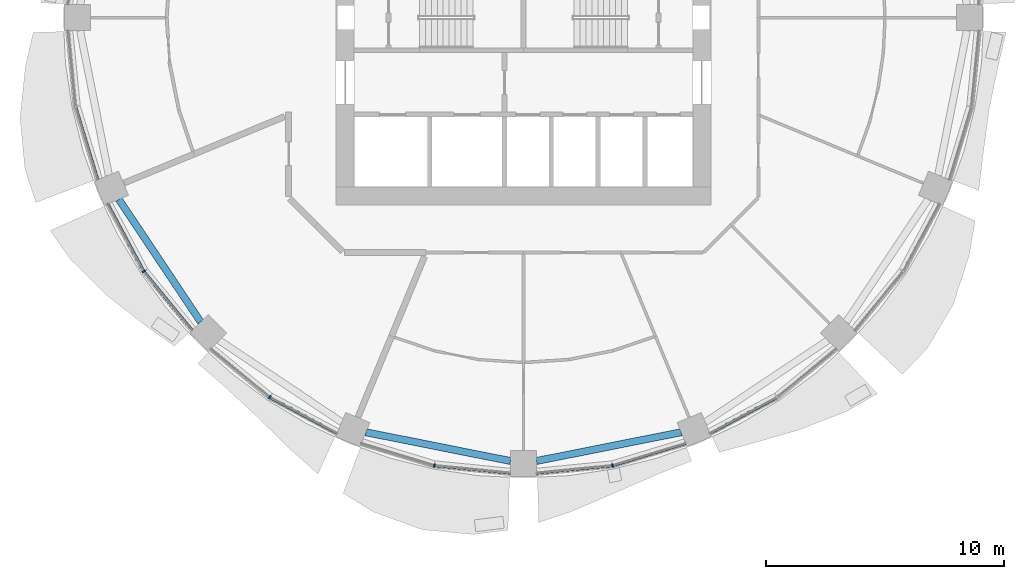
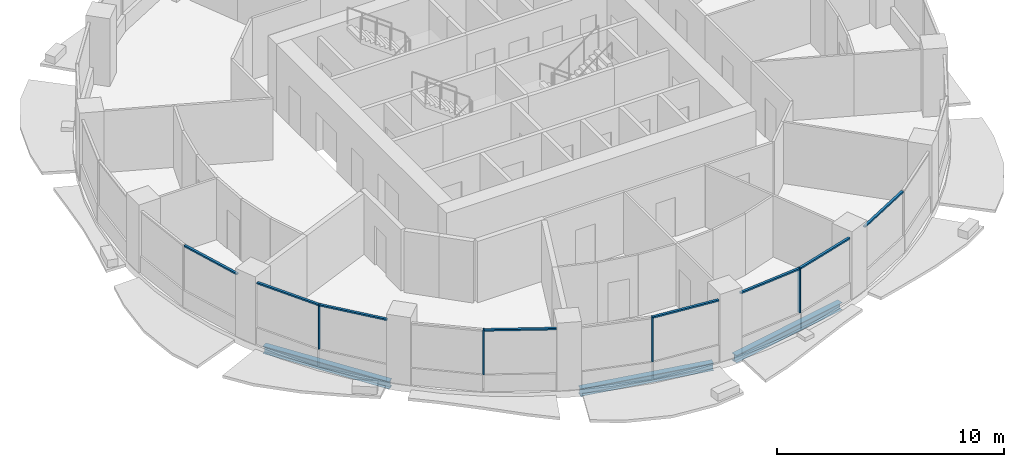
# One storey, part 2 of 15: 12 members, 3 beams, 6 elements without a shape of their own.
"""IFC4 building model written with IfcOpenShell, lengths in metres."""

import ifcopenshell
import ifcopenshell.guid

model = None  # the IFC model being written
_history = None  # IfcOwnerHistory: only IFC2X3 demands one
_inside = {}  # id of a spatial element -> (the spatial element, [elements in it])
_under = {}  # id of a project, library or spatial element -> (it, [spatial elements below it])
_declared = {}  # id of a project -> (the project, [libraries it declares])
_typed = {}  # id of a type object -> (the type object, [elements of that type])
_made_of = {}  # id of a material, layer set ... -> (it, [elements and type objects made of it])


def new_model(schema):
    """Start an empty IFC model of exactly this schema.

    Asked for "IFC4X3", IfcOpenShell would pick the latest addendum, in which some entities
    have other attributes; the version numbers below select the first issue.
    IFC2X3 requires an IfcOwnerHistory on every rooted entity: one is made here for all.
    """
    global model, _history
    if schema == "IFC4X3":
        model = ifcopenshell.file(schema_version=(4, 3, 0, 0))
    else:
        model = ifcopenshell.file(schema=schema)
    _inside.clear()
    _under.clear()
    _declared.clear()
    _typed.clear()
    _made_of.clear()
    _history = None
    if model.schema == "IFC2X3":
        org = make("IfcOrganization", Name="unknown")
        user = make(
            "IfcPersonAndOrganization",
            ThePerson=make("IfcPerson", FamilyName="unknown"),
            TheOrganization=org,
        )
        app = make(
            "IfcApplication",
            ApplicationDeveloper=org,
            Version="unknown",
            ApplicationFullName="unknown",
            ApplicationIdentifier="unknown",
        )
        _history = make(
            "IfcOwnerHistory",
            OwningUser=user,
            OwningApplication=app,
            ChangeAction="ADDED",
            CreationDate=0,
        )
    return model


def make(cls, **values):
    """One entity of the class cls with the attributes given. An attribute that is None is left unset."""
    return model.create_entity(
        cls, **{name: value for name, value in values.items() if value is not None}
    )


def rooted(cls, **values):
    """An entity with a GlobalId (a new one), such as an element, a storey or a relation."""
    return make(cls, GlobalId=ifcopenshell.guid.new(), OwnerHistory=_history, **values)


def si_unit(unit_type, name, prefix=None):
    """IfcSIUnit, for example si_unit("LENGTHUNIT", "METRE", prefix="MILLI")."""
    return make("IfcSIUnit", UnitType=unit_type, Prefix=prefix, Name=name)


def assignment(units):
    """IfcUnitAssignment: the units of a project."""
    return None if units is None else make("IfcUnitAssignment", Units=units)


def point(xyz):
    """IfcCartesianPoint."""
    return None if xyz is None else make("IfcCartesianPoint", Coordinates=xyz)


def direction(xyz):
    """IfcDirection."""
    return None if xyz is None else make("IfcDirection", DirectionRatios=xyz)


def frame(location, z_axis=None, x_axis=None):
    """IfcAxis2Placement3D, a coordinate frame: its origin and axes. An axis left out is left unset."""
    return make(
        "IfcAxis2Placement3D",
        Location=point(location),
        Axis=direction(z_axis),
        RefDirection=direction(x_axis),
    )


def frame_2d(location, x_axis=None):
    """IfcAxis2Placement2D, a coordinate frame in the plane: its origin and x axis."""
    return make(
        "IfcAxis2Placement2D", Location=point(location), RefDirection=direction(x_axis)
    )


def origin():
    """The frame at (0, 0, 0) with its axes left unset."""
    return frame((0.0, 0.0, 0.0))


def origin_2d():
    """The frame at (0, 0) in the plane with its x axis left unset."""
    return frame_2d((0.0, 0.0))


def place(relative_to, where):
    """IfcLocalPlacement: puts the frame where relative to a parent placement (None: the world)."""
    return make(
        "IfcLocalPlacement", PlacementRelTo=relative_to, RelativePlacement=where
    )


def context(
    kind, dimensions, precision=None, world=None, true_north=None, identifier=None
):
    """IfcGeometricRepresentationContext, for example the 3D "Model" context."""
    return make(
        "IfcGeometricRepresentationContext",
        ContextIdentifier=identifier,
        ContextType=kind,
        CoordinateSpaceDimension=dimensions,
        Precision=precision,
        WorldCoordinateSystem=world,
        TrueNorth=true_north,
    )


def subcontext(parent, identifier, kind, view, scale=None):
    """IfcGeometricRepresentationSubContext, for example "Body" below "Model"."""
    return make(
        "IfcGeometricRepresentationSubContext",
        ContextIdentifier=identifier,
        ContextType=kind,
        ParentContext=parent,
        TargetScale=scale,
        TargetView=view,
    )


def project(units=None, contexts=None):
    """IfcProject with its units and contexts."""
    return rooted(
        "IfcProject",
        Name="project",
        RepresentationContexts=contexts,
        UnitsInContext=assignment(units),
    )


def spatial(cls, under=None, at=None, **own):
    """A site, building, storey or space (cls), placed at a placement, below another one or the project."""
    s = rooted(cls, ObjectPlacement=at, **own)
    if under is not None:
        _under.setdefault(under.id(), (under, []))[1].append(s)
    return s


def profile(cls, at=None, kind="AREA", **sizes):
    """A parametric profile (cls). Its sizes go by their IFC names, for example OverallWidth=200.0."""
    return make(cls, ProfileType=kind, Position=at, **sizes)


def rectangle(**sizes):
    """IfcRectangleProfileDef."""
    return profile("IfcRectangleProfileDef", **sizes)


def i_section(**sizes):
    """IfcIShapeProfileDef."""
    return profile("IfcIShapeProfileDef", **sizes)


def extrude(swept, where, along, depth):
    """IfcExtrudedAreaSolid: the profile swept, set in the frame where, extruded along a direction by depth."""
    return make(
        "IfcExtrudedAreaSolid",
        SweptArea=swept,
        Position=where,
        ExtrudedDirection=direction(along),
        Depth=depth,
    )


def shape(context_of_items, identifier, shape_type, items):
    """IfcShapeRepresentation: the items that make up one representation, for example the "Body"."""
    return make(
        "IfcShapeRepresentation",
        ContextOfItems=context_of_items,
        RepresentationIdentifier=identifier,
        RepresentationType=shape_type,
        Items=items,
    )


def material(Name=None, Category=None):
    """IfcMaterial."""
    return make("IfcMaterial", Name=Name, Category=Category)


def material_profile(
    of_material, cross_section, Name=None, Category=None, Priority=None
):
    """IfcMaterialProfile: a cross section and its material."""
    return make(
        "IfcMaterialProfile",
        Name=Name,
        Material=of_material,
        Profile=cross_section,
        Priority=Priority,
        Category=Category,
    )


def profile_set(profiles, Name=None, composite=None):
    """IfcMaterialProfileSet."""
    return make(
        "IfcMaterialProfileSet",
        Name=Name,
        MaterialProfiles=profiles,
        CompositeProfile=composite,
    )


def made_of(thing, what):
    """Note that an element or type object is made of a material, layer set ...; save() writes the relation."""
    if what is not None:
        _made_of.setdefault(what.id(), (what, []))[1].append(thing)
    return thing


def type_object(cls, material=None, **own):
    """A type object (cls), such as IfcWallType, which elements share."""
    return made_of(rooted(cls, **own), material)


def element(
    cls,
    number,
    at=None,
    inside=None,
    cuts=None,
    type_object=None,
    material=None,
    context=None,
    identifier="Body",
    shape_type=None,
    held_by="IfcProductDefinitionShape",
    body=None,
    shapes=None,
    **own,
):
    """One element of the class cls, such as IfcWall. Its Tag is "e" and its number.

    at: its placement. inside: the storey or other place that contains it. cuts: it is an
    opening in that element (IfcRelVoidsElement). A single representation is given by context,
    identifier, shape_type and body (its items); several are given by shapes. held_by: the class
    of the entity that holds the representations. save() writes the other relations.
    """
    e = rooted(cls, Tag="e%d" % number, ObjectPlacement=at, **own)
    if body is not None:
        shapes = [shape(context, identifier, shape_type, body)]
    if shapes is not None:
        e.Representation = make(held_by, Representations=shapes)
    if inside is not None:
        _inside.setdefault(inside.id(), (inside, []))[1].append(e)
    if cuts is not None:
        rooted(
            "IfcRelVoidsElement", RelatingBuildingElement=cuts, RelatedOpeningElement=e
        )
    if type_object is not None:
        _typed.setdefault(type_object.id(), (type_object, []))[1].append(e)
    return made_of(e, material)


def aggregate(whole, parts):
    """IfcRelAggregates: a whole, such as a stair, and the parts it consists of."""
    return rooted("IfcRelAggregates", RelatingObject=whole, RelatedObjects=parts)


def save(model, path):
    """Write the relations noted so far, then the file.

    IfcRelAggregates (storeys below a building ...), IfcRelContainedInSpatialStructure (elements
    in a storey), IfcRelDefinesByType, IfcRelAssociatesMaterial and IfcRelDeclares: one each for
    every whole, place, type object, material and project.
    """
    for whole, parts in _under.values():
        aggregate(whole, parts)
    for where, things in _inside.values():
        rooted(
            "IfcRelContainedInSpatialStructure",
            RelatedElements=things,
            RelatingStructure=where,
        )
    for kind, things in _typed.values():
        rooted("IfcRelDefinesByType", RelatedObjects=things, RelatingType=kind)
    for what, things in _made_of.values():
        rooted("IfcRelAssociatesMaterial", RelatedObjects=things, RelatingMaterial=what)
    for by, libraries in _declared.values():
        rooted("IfcRelDeclares", RelatingContext=by, RelatedDefinitions=libraries)
    model.write(path)


model = new_model("IFC4")

# Units and contexts
model_context = context("Model", 3, precision=1e-05, world=origin(), true_north=direction((0.0, 1.0)))
body_context = subcontext(model_context, "Body", "Model", "MODEL_VIEW")
ifc_project = project(units=[si_unit("LENGTHUNIT", "METRE"), si_unit("AREAUNIT", "SQUARE_METRE"), si_unit("VOLUMEUNIT", "CUBIC_METRE"), si_unit("PLANEANGLEUNIT", "RADIAN"), si_unit("MASSUNIT", "GRAM", prefix="KILO")], contexts=[model_context])

# Site, building, storey
site_placement = place(None, origin())
site = spatial("IfcSite", under=ifc_project, at=site_placement, CompositionType="ELEMENT")
building_placement = place(site_placement, origin())
building = spatial("IfcBuilding", under=site, at=building_placement, Name="Polderwave Tower", CompositionType="ELEMENT")
storey_placement = place(building_placement, frame((0.0, 0.0, 87.35009765625)))
storey = spatial("IfcBuildingStorey", under=building, at=storey_placement, Name="L22", CompositionType="ELEMENT", Elevation=87.35009765625)

# Curtain wall, member
ifc_material_1 = material(Name="Aluminium 6063-T6 and glass", Category="aluminium")
curtain_wall_type = type_object("IfcCurtainWallType", Name="Growing floor ribbon glazing wall", PredefinedType="NOTDEFINED", material=ifc_material_1)
curtain_wall_1_placement = place(storey_placement, origin())
curtain_wall_1 = element("IfcCurtainWall", 1, at=curtain_wall_1_placement, inside=storey, type_object=curtain_wall_type, Name="CW2 L22 09", PredefinedType="NOTDEFINED")
ifc_material_2 = material(Name="Aluminium 6063-T6", Category="aluminium")
ifc_material_profile_1 = material_profile(ifc_material_2, rectangle(XDim=0.14990234375, YDim=0.06005859375, at=origin_2d()), Name="AL 60x150")
ifc_profile_set_1 = profile_set([ifc_material_profile_1], Name="Aluminium 6063-T6")
member_type_1 = type_object("IfcMemberType", Name="Growing floor ribbon glazing mullion 60x150", PredefinedType="MULLION", material=ifc_profile_set_1)
member_1_placement = place(storey_placement, frame((-15.964111328125, -10.6669921875, 0.89990234375), z_axis=(0.0, 0.0, 1.0), x_axis=(0.831444400469, 0.555607963342, 0.0)))
member_1 = element("IfcMember", 2, at=member_1_placement, type_object=member_type_1, Name="CW2 mullion 1", PredefinedType="MULLION", context=body_context, shape_type="SweptSolid", body=[
    extrude(rectangle(XDim=0.14990234375, YDim=0.06005859375, at=origin_2d()), origin(), (0.0, 0.0, 1.0), 2.39990234375),
])

curtain_wall_2_placement = place(storey_placement, origin())
curtain_wall_2 = element("IfcCurtainWall", 3, at=curtain_wall_2_placement, inside=storey, type_object=curtain_wall_type, Name="CW2 L22 10", PredefinedType="NOTDEFINED")
member_2_placement = place(storey_placement, frame((-10.6669921875, -15.964111328125, 0.89990234375), z_axis=(0.0, 0.0, 1.0), x_axis=(0.555607963342, 0.831444400469, 0.0)))
member_2 = element("IfcMember", 4, at=member_2_placement, type_object=member_type_1, Name="CW2 mullion 1", PredefinedType="MULLION", context=body_context, shape_type="SweptSolid", body=[
    extrude(rectangle(XDim=0.14990234375, YDim=0.06005859375, at=origin_2d()), origin(), (0.0, 0.0, 1.0), 2.39990234375),
])

curtain_wall_3_placement = place(storey_placement, origin())
curtain_wall_3 = element("IfcCurtainWall", 5, at=curtain_wall_3_placement, inside=storey, type_object=curtain_wall_type, Name="CW2 L22 11", PredefinedType="NOTDEFINED")
member_3_placement = place(storey_placement, frame((-3.74609375, -18.8310546875, 0.89990234375), z_axis=(0.0, 0.0, 1.0), x_axis=(0.195097169184, 0.980783918392, 0.0)))
member_3 = element("IfcMember", 6, at=member_3_placement, type_object=member_type_1, Name="CW2 mullion 1", PredefinedType="MULLION", context=body_context, shape_type="SweptSolid", body=[
    extrude(rectangle(XDim=0.14990234375, YDim=0.06005859375, at=origin_2d()), origin(), (0.0, 0.0, 1.0), 2.39990234375),
])

curtain_wall_4_placement = place(storey_placement, origin())
curtain_wall_4 = element("IfcCurtainWall", 7, at=curtain_wall_4_placement, inside=storey, type_object=curtain_wall_type, Name="CW2 L22 12", PredefinedType="NOTDEFINED")
member_4_placement = place(storey_placement, frame((3.74609375, -18.8310546875, 0.89990234375), z_axis=(0.0, 0.0, 1.0), x_axis=(-0.195097169184, 0.980783918392, 0.0)))
member_4 = element("IfcMember", 8, at=member_4_placement, type_object=member_type_1, Name="CW2 mullion 1", PredefinedType="MULLION", context=body_context, shape_type="SweptSolid", body=[
    extrude(rectangle(XDim=0.14990234375, YDim=0.06005859375, at=origin_2d()), origin(), (0.0, 0.0, 1.0), 2.39990234375),
])

curtain_wall_5_placement = place(storey_placement, origin())
curtain_wall_5 = element("IfcCurtainWall", 9, at=curtain_wall_5_placement, inside=storey, type_object=curtain_wall_type, Name="CW2 L22 08", PredefinedType="NOTDEFINED")
ifc_material_profile_2 = material_profile(ifc_material_2, rectangle(XDim=0.1201171875, YDim=0.080078125, at=origin_2d()), Name="AL 80x120")
ifc_profile_set_2 = profile_set([ifc_material_profile_2], Name="Aluminium 6063-T6")
member_type_2 = type_object("IfcMemberType", Name="Growing floor ribbon glazing transom 80x120", PredefinedType="USERDEFINED", material=ifc_profile_set_2)
member_5_placement = place(storey_placement, frame((-18.822265625, -3.774658203125, 3.260009765625), z_axis=(0.290233155766, -0.95695596309, 0.0), x_axis=(0.95695596309, 0.290233155766, 0.0)))
member_5 = element("IfcMember", 10, at=member_5_placement, type_object=member_type_2, Name="CW2 transom 2", ObjectType="TRANSOM", PredefinedType="USERDEFINED", context=body_context, shape_type="SweptSolid", body=[
    extrude(rectangle(XDim=0.1201171875, YDim=0.080078125, at=origin_2d()), origin(), (0.0, 0.0, 1.0), 3.181396484375),
])
aggregate(curtain_wall_5, [member_5])

# Member
member_6_placement = place(storey_placement, frame((-17.47802734375, -7.8349609375, 3.260009765625), z_axis=(0.471512085827, -0.881859599323, 0.0), x_axis=(0.881859599323, 0.471512085827, 0.0)))
member_6 = element("IfcMember", 11, at=member_6_placement, type_object=member_type_2, Name="CW2 transom 1", ObjectType="TRANSOM", PredefinedType="USERDEFINED", context=body_context, shape_type="SweptSolid", body=[
    extrude(rectangle(XDim=0.1201171875, YDim=0.080078125, at=origin_2d()), origin(), (0.0, 0.0, 1.0), 3.18115234375),
])

member_7_placement = place(storey_placement, frame((-15.945068359375, -10.690185546875, 3.260009765625), z_axis=(0.634436573251, -0.772974924898, 0.0), x_axis=(0.772974924898, 0.634436573251, 0.0)))
member_7 = element("IfcMember", 12, at=member_7_placement, type_object=member_type_2, Name="CW2 transom 2", ObjectType="TRANSOM", PredefinedType="USERDEFINED", context=body_context, shape_type="SweptSolid", body=[
    extrude(rectangle(XDim=0.1201171875, YDim=0.080078125, at=origin_2d()), origin(), (0.0, 0.0, 1.0), 3.180908203125),
])

aggregate(curtain_wall_1, [member_1, member_6, member_7])

member_8_placement = place(storey_placement, frame((-10.640380859375, -15.97802734375, 3.260009765625), z_axis=(0.881859599323, -0.471512085827, 0.0), x_axis=(0.471512085827, 0.881859599323, 0.0)))
member_8 = element("IfcMember", 13, at=member_8_placement, type_object=member_type_2, Name="CW2 transom 2", ObjectType="TRANSOM", PredefinedType="USERDEFINED", context=body_context, shape_type="SweptSolid", body=[
    extrude(rectangle(XDim=0.1201171875, YDim=0.080078125, at=origin_2d()), origin(), (0.0, 0.0, 1.0), 3.18115234375),
])

aggregate(curtain_wall_2, [member_2, member_8])

member_9_placement = place(storey_placement, frame((-3.716064453125, -18.833984375, 3.260009765625), z_axis=(0.995179009769, -0.098075167681, 0.0), x_axis=(0.098075167681, 0.995179009769, 0.0)))
member_9 = element("IfcMember", 14, at=member_9_placement, type_object=member_type_2, Name="CW2 transom 2", ObjectType="TRANSOM", PredefinedType="USERDEFINED", context=body_context, shape_type="SweptSolid", body=[
    extrude(rectangle(XDim=0.1201171875, YDim=0.080078125, at=origin_2d()), origin(), (0.0, 0.0, 1.0), 3.181396484375),
])

aggregate(curtain_wall_3, [member_3, member_9])

member_10_placement = place(storey_placement, frame((0.550048828125, -19.14599609375, 3.260009765625), z_axis=(0.995179009769, 0.098075167681, 0.0), x_axis=(-0.098075167681, 0.995179009769, 0.0)))
member_10 = element("IfcMember", 15, at=member_10_placement, type_object=member_type_2, Name="CW2 transom 1", ObjectType="TRANSOM", PredefinedType="USERDEFINED", context=body_context, shape_type="SweptSolid", body=[
    extrude(rectangle(XDim=0.1201171875, YDim=0.080078125, at=origin_2d()), origin(), (0.0, 0.0, 1.0), 3.181396484375),
])

member_11_placement = place(storey_placement, frame((3.774658203125, -18.822265625, 3.260009765625), z_axis=(0.95695596309, 0.290233155766, 0.0), x_axis=(-0.290233155766, 0.95695596309, 0.0)))
member_11 = element("IfcMember", 16, at=member_11_placement, type_object=member_type_2, Name="CW2 transom 2", ObjectType="TRANSOM", PredefinedType="USERDEFINED", context=body_context, shape_type="SweptSolid", body=[
    extrude(rectangle(XDim=0.1201171875, YDim=0.080078125, at=origin_2d()), origin(), (0.0, 0.0, 1.0), 3.181396484375),
])

aggregate(curtain_wall_4, [member_4, member_10, member_11])

# Curtain wall, member
curtain_wall_6_placement = place(storey_placement, origin())
curtain_wall_6 = element("IfcCurtainWall", 17, at=curtain_wall_6_placement, inside=storey, type_object=curtain_wall_type, Name="CW2 L22 13", PredefinedType="NOTDEFINED")
member_12_placement = place(storey_placement, frame((7.8349609375, -17.47802734375, 3.260009765625), z_axis=(0.881859599323, 0.471512085827, 0.0), x_axis=(-0.471512085827, 0.881859599323, 0.0)))
member_12 = element("IfcMember", 18, at=member_12_placement, type_object=member_type_2, Name="CW2 transom 1", ObjectType="TRANSOM", PredefinedType="USERDEFINED", context=body_context, shape_type="SweptSolid", body=[
    extrude(rectangle(XDim=0.1201171875, YDim=0.080078125, at=origin_2d()), origin(), (0.0, 0.0, 1.0), 3.18115234375),
])
aggregate(curtain_wall_6, [member_12])

# Beams
ifc_material_3 = material(Name="Steel S355", Category="steel")
ifc_material_profile_3 = material_profile(ifc_material_3, i_section(OverallWidth=0.300048828125, OverallDepth=0.39990234375, WebThickness=0.013427734375, FlangeThickness=0.02392578125, at=origin_2d()), Name="HE 400 B")
ifc_profile_set_3 = profile_set([ifc_material_profile_3], Name="Steel S355")
beam_type = type_object("IfcBeamType", Name="RING BEAM HE 400 B", PredefinedType="BEAM", material=ifc_profile_set_3)
for number, where, z_axis, x_axis, name in (
    (19, (-17.01123046875, -7.6416015625, -0.550048828125), (0.555573051966, -0.831467728736, 0.0), (0.831467728736, 0.555573051966, 0.0), "ST-RB-L22-09"),
    (20, (-6.625244140625, -17.43212890625, -0.550048828125), (0.980783284471, -0.195100355977, 0.0), (0.195100355977, 0.980783284471, 0.0), "ST-RB-L22-11"),
    (21, (0.550048828125, -18.640625, -0.550048828125), (0.980783284471, 0.195100355977, 0.0), (-0.195100355977, 0.980783284471, 0.0), "ST-RB-L22-12"),
):
    element("IfcBeam", number, at=place(storey_placement, frame(where, z_axis=z_axis, x_axis=x_axis)), inside=storey, type_object=beam_type, Name=name, PredefinedType="BEAM", context=body_context, shape_type="SweptSolid", body=[
        extrude(i_section(OverallWidth=0.300048828125, OverallDepth=0.39990234375, WebThickness=0.013427734375, FlangeThickness=0.02392578125, at=origin_2d()), origin(), (0.0, 0.0, 1.0), 6.1943359375),
    ])

save(model, "model.ifc")
